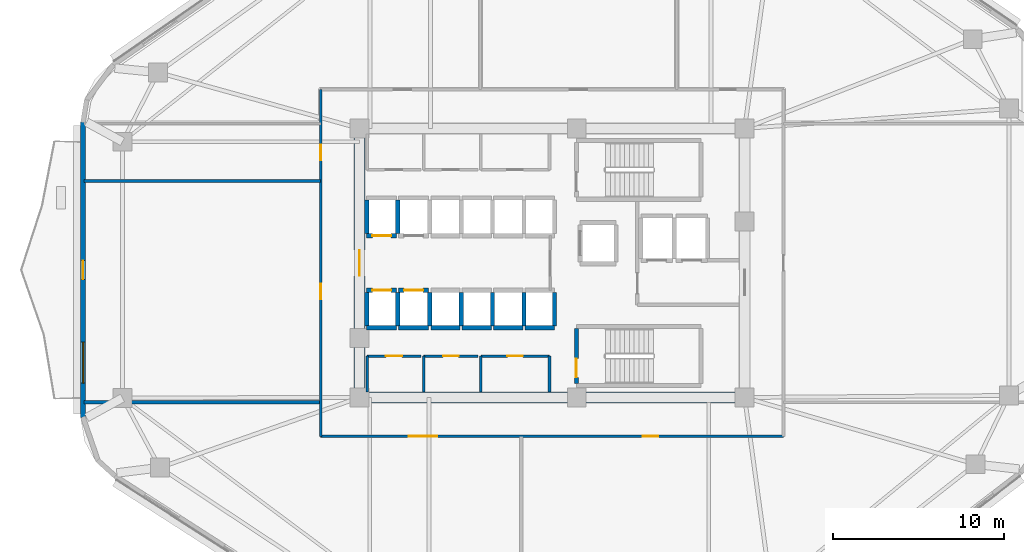
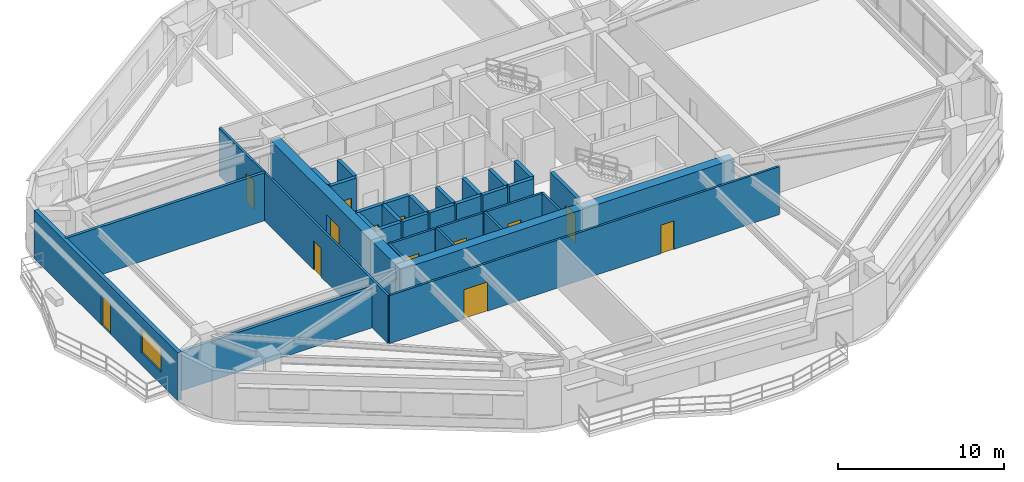
# One storey, part 8 of 14: 33 walls, 13 doors, 1 window, 14 openings.
"""IFC4 building model written with IfcOpenShell, lengths in metres."""

from ifc_helpers import new_model, si_unit, direction, frame, frame_2d, origin, place, context, subcontext, project, spatial, rectangle, extrude, material, layer, layer_set, type_object, element, fill, save


model = new_model("IFC4")

# Units and contexts
model_context = context("Model", 3, precision=1e-05, world=origin(), true_north=direction((0.0, 1.0)))
body_context = subcontext(model_context, "Body", "Model", "MODEL_VIEW")
ifc_project = project(units=[si_unit("LENGTHUNIT", "METRE"), si_unit("AREAUNIT", "SQUARE_METRE"), si_unit("VOLUMEUNIT", "CUBIC_METRE"), si_unit("PLANEANGLEUNIT", "RADIAN"), si_unit("MASSUNIT", "GRAM", prefix="KILO")], contexts=[model_context])

# Site, building, storey
site_placement = place(None, origin())
site = spatial("IfcSite", under=ifc_project, at=site_placement, CompositionType="ELEMENT")
building_placement = place(site_placement, origin())
building = spatial("IfcBuilding", under=site, at=building_placement, Name="Zulverin Broadcast Headquarters", CompositionType="ELEMENT")
storey_placement = place(building_placement, frame((0.0, 0.0, 85.800048828125)))
storey = spatial("IfcBuildingStorey", under=building, at=storey_placement, Name="L21", CompositionType="ELEMENT", Elevation=85.800048828125)

# Walls
ifc_material_1 = material(Name="Acoustic drywall steel stud", Category="steel")
ifc_layer_1 = layer(ifc_material_1, 0.199951171875, Name="Acoustic drywall steel stud", Category="steel")
ifc_layer_set_1 = layer_set([ifc_layer_1], Name="Acoustic drywall steel stud")
wall_type_1 = type_object("IfcWallType", Name="WL-ACOU-200", PredefinedType="PARTITIONING", material=ifc_layer_set_1)
wall_1_placement = place(storey_placement, frame((9.60498046875, 30.0, 0.0), z_axis=(0.0, 0.0, 1.0), x_axis=(1.0, 0.0, 0.0)))
element("IfcWall", 1, at=wall_1_placement, inside=storey, type_object=wall_type_1, Name="L21 Room Partition Wall RP-09", PredefinedType="PARTITIONING", context=body_context, shape_type="SweptSolid", body=[
    extrude(rectangle(XDim=13.844970703125, YDim=0.199951171875, at=frame_2d((6.92236328125, 0.0))), origin(), (0.0, 0.0, 1.0), 3.52490234375),
])
ifc_material_2 = material(Name="Double-stud acoustic drywall", Category="gypsum")
ifc_layer_2 = layer(ifc_material_2, 0.219970703125, Name="Double-stud acoustic drywall", Category="gypsum")
ifc_layer_set_2 = layer_set([ifc_layer_2], Name="Double-stud acoustic drywall")
wall_type_2 = type_object("IfcWallType", Name="WL-ACOU-220", PredefinedType="PARTITIONING", material=ifc_layer_set_2)
wall_2_placement = place(storey_placement, frame((9.60498046875, 17.050048828125, 0.0), z_axis=(0.0, 0.0, 1.0), x_axis=(1.0, 0.0, 0.0)))
element("IfcWall", 2, at=wall_2_placement, inside=storey, type_object=wall_type_2, Name="L21 Room Partition Wall RP-07", PredefinedType="PARTITIONING", context=body_context, shape_type="SweptSolid", body=[
    extrude(rectangle(XDim=13.844970703125, YDim=0.219970703125, at=frame_2d((6.92236328125, 0.0))), origin(), (0.0, 0.0, 1.0), 2.90771484375),
])
ifc_material_3 = material(Name="Concrete C60/75", Category="concrete")
ifc_layer_3 = layer(ifc_material_3, 0.64990234375, Name="Concrete C60/75", Category="concrete")
ifc_layer_set_3 = layer_set([ifc_layer_3], Name="Concrete C60/75")
wall_type_3 = type_object("IfcWallType", Name="WL-CORE-650", PredefinedType="SHEAR", material=ifc_layer_set_3)
wall_3_placement = place(storey_placement, frame((25.39990234375, 17.324951171875, 0.0), z_axis=(0.0, 0.0, 1.0), x_axis=(1.0, 0.0, 0.0)))
element("IfcWall", 3, at=wall_3_placement, inside=storey, type_object=wall_type_3, Name="L21 Core South Shear Wall", PredefinedType="SHEAR", context=body_context, shape_type="SweptSolid", body=[
    extrude(rectangle(XDim=23.2001953125, YDim=0.64990234375, at=frame_2d((11.60009765625, 0.0))), origin(), (0.0, 0.0, 1.0), 3.52490234375),
])

# Wall, opening, door
wall_4_placement = place(storey_placement, frame((25.72509765625, 17.64990234375, 0.0), z_axis=(0.0, 0.0, 1.0), x_axis=(0.0, 1.0, 0.0)))
wall_4 = element("IfcWall", 4, at=wall_4_placement, inside=storey, type_object=wall_type_3, Name="L21 Core West Shear Wall", PredefinedType="SHEAR", context=body_context, shape_type="SweptSolid", body=[
    extrude(rectangle(XDim=15.10009765625, YDim=0.64990234375, at=frame_2d((7.550048828125, 0.0))), origin(), (0.0, 0.0, 1.0), 3.52490234375),
])
opening_1_placement = place(wall_4_placement, frame((6.800048828125, 0.0, 0.0)))
opening_1 = element("IfcOpeningElement", 5, at=opening_1_placement, cuts=wall_4, Name="Opening D-L21-CW1", PredefinedType="OPENING", context=body_context, shape_type="SweptSolid", body=[
    extrude(rectangle(XDim=1.5, YDim=2.14990234375, at=frame_2d((0.75, 1.074951171875))), frame((0.0, 0.3349609375, 0.0), z_axis=(0.0, -1.0, 0.0), x_axis=(1.0, 0.0, 0.0)), (0.0, 0.0, 1.0), 0.669921875),
])
ifc_material_4 = material(Name="Fire-rated glazed steel frame", Category="steel")
door_type_1 = type_object("IfcDoorType", Name="DR-COR-1500", OperationType="DOUBLE_DOOR_SINGLE_SWING", PredefinedType="DOOR", material=ifc_material_4)
door_1_placement = place(opening_1_placement, origin())
door_1 = element("IfcDoor", 6, at=door_1_placement, inside=storey, type_object=door_type_1, Name="L21 Central Lift Lobby West Portal Door", OperationType="DOUBLE_DOOR_SINGLE_SWING", OverallHeight=2.14990234375, OverallWidth=1.5, PredefinedType="DOOR", context=body_context, shape_type="SweptSolid", body=[
    extrude(rectangle(XDim=1.5, YDim=2.14990234375, at=frame_2d((0.75, 1.074951171875))), frame((0.0, 0.02490234375, 0.0), z_axis=(0.0, -1.0, 0.0), x_axis=(1.0, 0.0, 0.0)), (0.0, 0.0, 1.0), 0.050048828125),
])
fill(opening_1, door_1)

# Wall, openings, door, window
ifc_material_5 = material(Name="Insulated pale-metal clad concrete spandrel C40/50", Category="concrete")
ifc_layer_4 = layer(ifc_material_5, 0.280029296875, Name="Insulated pale-metal clad concrete spandrel C40/50", Category="concrete")
ifc_layer_set_4 = layer_set([ifc_layer_4], Name="Insulated pale-metal clad concrete spandrel C40/50")
wall_type_4 = type_object("IfcWallType", Name="WL-EXT-280", PredefinedType="STANDARD", material=ifc_layer_set_4)
wall_5_placement = place(storey_placement, frame((9.5400390625, 33.4443359375, 0.0), z_axis=(0.0, 0.0, 1.0), x_axis=(0.0, -1.0, 0.0)))
wall_5 = element("IfcWall", 7, at=wall_5_placement, inside=storey, type_object=wall_type_4, Name="L21 Pale-Metal Clad Spandrel Wall 7", PredefinedType="STANDARD", context=body_context, shape_type="SweptSolid", body=[
    extrude(rectangle(XDim=17.30078125, YDim=0.280029296875, at=frame_2d((8.650390625, 0.0))), origin(), (0.0, 0.0, 1.0), 3.52490234375),
])
opening_2_placement = place(wall_5_placement, frame((8.100341796875, 0.0, 0.0)))
opening_2 = element("IfcOpeningElement", 8, at=opening_2_placement, cuts=wall_5, Name="Opening D-L21-TR7", PredefinedType="OPENING", context=body_context, shape_type="SweptSolid", body=[
    extrude(rectangle(XDim=1.10009765625, YDim=2.199951171875, at=frame_2d((0.550048828125, 1.10009765625))), frame((0.0, 0.14990234375, 0.0), z_axis=(0.0, -1.0, 0.0), x_axis=(1.0, 0.0, 0.0)), (0.0, 0.0, 1.0), 0.300048828125),
])
opening_3_placement = place(wall_5_placement, frame((12.884033203125, 0.0, 0.89990234375)))
opening_3 = element("IfcOpeningElement", 9, at=opening_3_placement, cuts=wall_5, Name="Opening W-L21-E71", PredefinedType="OPENING", context=body_context, shape_type="SweptSolid", body=[
    extrude(rectangle(XDim=2.39990234375, YDim=1.75, at=frame_2d((1.199951171875, 0.875))), frame((0.0, 0.14990234375, 0.0), z_axis=(0.0, -1.0, 0.0), x_axis=(1.0, 0.0, 0.0)), (0.0, 0.0, 1.0), 0.300048828125),
])
ifc_material_6 = material(Name="Thermally broken aluminium glazed", Category="aluminium")
door_type_2 = type_object("IfcDoorType", Name="DR-TERR-1100", OperationType="SINGLE_SWING_RIGHT", PredefinedType="DOOR", material=ifc_material_6)
door_2_placement = place(opening_2_placement, origin())
door_2 = element("IfcDoor", 10, at=door_2_placement, inside=storey, type_object=door_type_2, Name="L21 Planted Terrace Glazed Access Door 7", OperationType="SINGLE_SWING_RIGHT", OverallHeight=2.199951171875, OverallWidth=1.10009765625, PredefinedType="DOOR", context=body_context, shape_type="SweptSolid", body=[
    extrude(rectangle(XDim=1.10009765625, YDim=2.199951171875, at=frame_2d((0.550048828125, 1.10009765625))), frame((0.0, 0.02490234375, 0.0), z_axis=(0.0, -1.0, 0.0), x_axis=(1.0, 0.0, 0.0)), (0.0, 0.0, 1.0), 0.050048828125),
])
fill(opening_2, door_2)
ifc_material_7 = material(Name="Pale anodized aluminium frame with solar-control low-E double glazing", Category="aluminium")
window_type = type_object("IfcWindowType", Name="WIN-RIB-2400", PartitioningType="SINGLE_PANEL", PredefinedType="WINDOW", material=ifc_material_7)
window_placement = place(opening_3_placement, origin())
window = element("IfcWindow", 11, at=window_placement, inside=storey, type_object=window_type, Name="L21 Ribbon Glazing Window 7 1", OverallHeight=1.75, OverallWidth=2.39990234375, PartitioningType="SINGLE_PANEL", PredefinedType="WINDOW", context=body_context, shape_type="SweptSolid", body=[
    extrude(rectangle(XDim=2.39990234375, YDim=1.75, at=frame_2d((1.199951171875, 0.875))), frame((0.0, 0.030029296875, 0.0), z_axis=(0.0, -1.0, 0.0), x_axis=(1.0, 0.0, 0.0)), (0.0, 0.0, 1.0), 0.06005859375),
])
fill(opening_3, window)

# Wall, opening, door
ifc_material_8 = material(Name="Fire-rated gypsum stud partition", Category="gypsum")
ifc_layer_5 = layer(ifc_material_8, 0.14990234375, Name="Fire-rated gypsum stud partition", Category="gypsum")
ifc_layer_set_5 = layer_set([ifc_layer_5], Name="Fire-rated gypsum stud partition")
wall_type_5 = type_object("IfcWallType", Name="WL-PART-150", PredefinedType="PARTITIONING", material=ifc_layer_set_5)
wall_6_placement = place(storey_placement, frame((26.169921875, 19.75, 0.0), z_axis=(0.0, 0.0, 1.0), x_axis=(1.0, 0.0, 0.0)))
wall_6 = element("IfcWall", 12, at=wall_6_placement, inside=storey, type_object=wall_type_5, Name="L21 Core Female WC Front Wall", PredefinedType="PARTITIONING", context=body_context, shape_type="SweptSolid", body=[
    extrude(rectangle(XDim=3.150146484375, YDim=0.14990234375, at=frame_2d((1.5751953125, 0.0))), origin(), (0.0, 0.0, 1.0), 3.52490234375),
])
opening_4_placement = place(wall_6_placement, frame((1.10009765625, 0.0, 0.0)))
opening_4 = element("IfcOpeningElement", 13, at=opening_4_placement, cuts=wall_6, Name="Opening D-L21-SC1", PredefinedType="OPENING", context=body_context, shape_type="SweptSolid", body=[
    extrude(rectangle(XDim=0.949951171875, YDim=2.10009765625, at=frame_2d((0.47509765625, 1.050048828125))), frame((0.0, 0.0849609375, 0.0), z_axis=(0.0, -1.0, 0.0), x_axis=(1.0, 0.0, 0.0)), (0.0, 0.0, 1.0), 0.169921875),
])
ifc_material_9 = material(Name="Fire-rated moisture-resistant laminate leaf", Category="wood")
door_type_3 = type_object("IfcDoorType", Name="DR-WC-950", OperationType="SINGLE_SWING_LEFT", PredefinedType="DOOR", material=ifc_material_9)
door_3_placement = place(opening_4_placement, origin())
door_3 = element("IfcDoor", 14, at=door_3_placement, inside=storey, type_object=door_type_3, Name="L21 Female WC Door", OperationType="SINGLE_SWING_RIGHT", OverallHeight=2.10009765625, OverallWidth=0.949951171875, PredefinedType="DOOR", context=body_context, shape_type="SweptSolid", body=[
    extrude(rectangle(XDim=0.949951171875, YDim=2.10009765625, at=frame_2d((0.47509765625, 1.050048828125))), frame((0.0, 0.02490234375, 0.0), z_axis=(0.0, -1.0, 0.0), x_axis=(1.0, 0.0, 0.0)), (0.0, 0.0, 1.0), 0.050048828125),
])
fill(opening_4, door_3)

# Wall
wall_7_placement = place(storey_placement, frame((26.169921875, 17.64990234375, 0.0), z_axis=(0.0, 0.0, 1.0), x_axis=(0.0, 1.0, 0.0)))
element("IfcWall", 15, at=wall_7_placement, inside=storey, type_object=wall_type_5, Name="L21 Core Female WC West Wall", PredefinedType="PARTITIONING", context=body_context, shape_type="SweptSolid", body=[
    extrude(rectangle(XDim=2.10009765625, YDim=0.14990234375, at=frame_2d((1.050048828125, 0.0))), origin(), (0.0, 0.0, 1.0), 3.52490234375),
])

# Wall, opening, door
wall_8_placement = place(storey_placement, frame((29.47998046875, 19.75, 0.0), z_axis=(0.0, 0.0, 1.0), x_axis=(1.0, 0.0, 0.0)))
wall_8 = element("IfcWall", 16, at=wall_8_placement, inside=storey, type_object=wall_type_5, Name="L21 Core Cleaner Store Front Wall", PredefinedType="PARTITIONING", context=body_context, shape_type="SweptSolid", body=[
    extrude(rectangle(XDim=3.18994140625, YDim=0.14990234375, at=frame_2d((1.594970703125, 0.0))), origin(), (0.0, 0.0, 1.0), 3.52490234375),
])
opening_5_placement = place(wall_8_placement, frame((1.14501953125, 0.0, 0.0)))
opening_5 = element("IfcOpeningElement", 17, at=opening_5_placement, cuts=wall_8, Name="Opening D-L21-SC2", PredefinedType="OPENING", context=body_context, shape_type="SweptSolid", body=[
    extrude(rectangle(XDim=0.89990234375, YDim=2.10009765625, at=frame_2d((0.449951171875, 1.050048828125))), frame((0.0, 0.0849609375, 0.0), z_axis=(0.0, -1.0, 0.0), x_axis=(1.0, 0.0, 0.0)), (0.0, 0.0, 1.0), 0.169921875),
])
ifc_material_10 = material(Name="Powder-coated steel access leaf", Category="steel")
door_type_4 = type_object("IfcDoorType", Name="DR-RISER-900", OperationType="SINGLE_SWING_LEFT", PredefinedType="DOOR", material=ifc_material_10)
door_4_placement = place(opening_5_placement, origin())
door_4 = element("IfcDoor", 18, at=door_4_placement, inside=storey, type_object=door_type_4, Name="L21 Cleaner Store Door", OperationType="SINGLE_SWING_LEFT", OverallHeight=2.10009765625, OverallWidth=0.89990234375, PredefinedType="DOOR", context=body_context, shape_type="SweptSolid", body=[
    extrude(rectangle(XDim=0.89990234375, YDim=2.10009765625, at=frame_2d((0.449951171875, 1.050048828125))), frame((0.0, 0.02490234375, 0.0), z_axis=(0.0, -1.0, 0.0), x_axis=(1.0, 0.0, 0.0)), (0.0, 0.0, 1.0), 0.050048828125),
])
fill(opening_5, door_4)

# Wall
wall_9_placement = place(storey_placement, frame((29.47998046875, 17.64990234375, 0.0), z_axis=(0.0, 0.0, 1.0), x_axis=(0.0, 1.0, 0.0)))
element("IfcWall", 19, at=wall_9_placement, inside=storey, type_object=wall_type_5, Name="L21 Core Cleaner Store West Wall", PredefinedType="PARTITIONING", context=body_context, shape_type="SweptSolid", body=[
    extrude(rectangle(XDim=2.10009765625, YDim=0.14990234375, at=frame_2d((1.050048828125, 0.0))), origin(), (0.0, 0.0, 1.0), 3.52490234375),
])

# Wall, opening, door
wall_10_placement = place(storey_placement, frame((32.830078125, 19.75, 0.0), z_axis=(0.0, 0.0, 1.0), x_axis=(1.0, 0.0, 0.0)))
wall_10 = element("IfcWall", 20, at=wall_10_placement, inside=storey, type_object=wall_type_5, Name="L21 Core Broadcast Fibre Riser Front Wall", PredefinedType="PARTITIONING", context=body_context, shape_type="SweptSolid", body=[
    extrude(rectangle(XDim=4.02001953125, YDim=0.14990234375, at=frame_2d((2.010009765625, 0.0))), origin(), (0.0, 0.0, 1.0), 3.52490234375),
])
opening_6_placement = place(wall_10_placement, frame((1.56005859375, 0.0, 0.0)))
opening_6 = element("IfcOpeningElement", 21, at=opening_6_placement, cuts=wall_10, Name="Opening D-L21-SC3", PredefinedType="OPENING", context=body_context, shape_type="SweptSolid", body=[
    extrude(rectangle(XDim=0.89990234375, YDim=2.10009765625, at=frame_2d((0.449951171875, 1.050048828125))), frame((0.0, 0.0849609375, 0.0), z_axis=(0.0, -1.0, 0.0), x_axis=(1.0, 0.0, 0.0)), (0.0, 0.0, 1.0), 0.169921875),
])
door_5_placement = place(opening_6_placement, origin())
door_5 = element("IfcDoor", 22, at=door_5_placement, inside=storey, type_object=door_type_4, Name="L21 Broadcast Fibre Riser Door", OperationType="SINGLE_SWING_RIGHT", OverallHeight=2.10009765625, OverallWidth=0.89990234375, PredefinedType="DOOR", context=body_context, shape_type="SweptSolid", body=[
    extrude(rectangle(XDim=0.89990234375, YDim=2.10009765625, at=frame_2d((0.449951171875, 1.050048828125))), frame((0.0, 0.02490234375, 0.0), z_axis=(0.0, -1.0, 0.0), x_axis=(1.0, 0.0, 0.0)), (0.0, 0.0, 1.0), 0.050048828125),
])
fill(opening_6, door_5)

# Walls
for number, where, z_axis, x_axis, name in (
    (23, (32.830078125, 17.64990234375, 0.0), (0.0, 0.0, 1.0), (0.0, 1.0, 0.0), "L21 Core Broadcast Fibre Riser West Wall"),
    (24, (36.85009765625, 17.64990234375, 0.0), (0.0, 0.0, 1.0), (0.0, 1.0, 0.0), "L21 Core Broadcast Fibre Riser East Wall"),
):
    element("IfcWall", number, at=place(storey_placement, frame(where, z_axis=z_axis, x_axis=x_axis)), inside=storey, type_object=wall_type_5, Name=name, PredefinedType="PARTITIONING", context=body_context, shape_type="SweptSolid", body=[
        extrude(rectangle(XDim=2.10009765625, YDim=0.14990234375, at=frame_2d((1.050048828125, 0.0))), origin(), (0.0, 0.0, 1.0), 3.52490234375),
    ])

# Wall, openings, doors
wall_11_placement = place(storey_placement, frame((23.449951171875, 15.050048828125, 0.0), z_axis=(0.0, 0.0, 1.0), x_axis=(0.0, 1.0, 0.0)))
wall_11 = element("IfcWall", 25, at=wall_11_placement, inside=storey, type_object=wall_type_5, Name="L21 Gallery Partition Wall CG-05", PredefinedType="PARTITIONING", context=body_context, shape_type="SweptSolid", body=[
    extrude(rectangle(XDim=20.300048828125, YDim=0.14990234375, at=frame_2d((10.14990234375, 0.0))), origin(), (0.0, 0.0, 1.0), 3.52490234375),
])
opening_7_placement = place(wall_11_placement, frame((8.02490234375, 0.0, 0.0)))
opening_7 = element("IfcOpeningElement", 26, at=opening_7_placement, cuts=wall_11, Name="Opening D-L21-06", PredefinedType="OPENING", context=body_context, shape_type="SweptSolid", body=[
    extrude(rectangle(XDim=0.89990234375, YDim=2.10009765625, at=frame_2d((0.449951171875, 1.050048828125))), frame((0.0, 0.0849609375, 0.0), z_axis=(0.0, -1.0, 0.0), x_axis=(1.0, 0.0, 0.0)), (0.0, 0.0, 1.0), 0.169921875),
])
opening_8_placement = place(wall_11_placement, frame((16.175048828125, 0.0, 0.0)))
opening_8 = element("IfcOpeningElement", 27, at=opening_8_placement, cuts=wall_11, Name="Opening D-L21-07", PredefinedType="OPENING", context=body_context, shape_type="SweptSolid", body=[
    extrude(rectangle(XDim=0.89990234375, YDim=2.10009765625, at=frame_2d((0.449951171875, 1.050048828125))), frame((0.0, 0.0849609375, 0.0), z_axis=(0.0, -1.0, 0.0), x_axis=(1.0, 0.0, 0.0)), (0.0, 0.0, 1.0), 0.169921875),
])
ifc_material_11 = material(Name="Fire-rated hardwood veneer timber leaf", Category="wood")
door_type_5 = type_object("IfcDoorType", Name="DR-ROOM-900", OperationType="SINGLE_SWING_RIGHT", PredefinedType="DOOR", material=ifc_material_11)
door_6_placement = place(opening_7_placement, origin())
door_6 = element("IfcDoor", 28, at=door_6_placement, inside=storey, type_object=door_type_5, Name="L21 Evening Bistro Door", OperationType="SINGLE_SWING_LEFT", OverallHeight=2.10009765625, OverallWidth=0.89990234375, PredefinedType="DOOR", context=body_context, shape_type="SweptSolid", body=[
    extrude(rectangle(XDim=0.89990234375, YDim=2.10009765625, at=frame_2d((0.449951171875, 1.050048828125))), frame((0.0, 0.02490234375, 0.0), z_axis=(0.0, -1.0, 0.0), x_axis=(1.0, 0.0, 0.0)), (0.0, 0.0, 1.0), 0.050048828125),
])
fill(opening_7, door_6)
door_7_placement = place(opening_8_placement, origin())
door_7 = element("IfcDoor", 29, at=door_7_placement, inside=storey, type_object=door_type_5, Name="L21 Catering Pantry Door", OperationType="SINGLE_SWING_RIGHT", OverallHeight=2.10009765625, OverallWidth=0.89990234375, PredefinedType="DOOR", context=body_context, shape_type="SweptSolid", body=[
    extrude(rectangle(XDim=0.89990234375, YDim=2.10009765625, at=frame_2d((0.449951171875, 1.050048828125))), frame((0.0, 0.02490234375, 0.0), z_axis=(0.0, -1.0, 0.0), x_axis=(1.0, 0.0, 0.0)), (0.0, 0.0, 1.0), 0.050048828125),
])
fill(opening_8, door_7)

wall_12_placement = place(storey_placement, frame((23.449951171875, 15.050048828125, 0.0), z_axis=(0.0, 0.0, 1.0), x_axis=(1.0, 0.0, 0.0)))
wall_12 = element("IfcWall", 30, at=wall_12_placement, inside=storey, type_object=wall_type_5, Name="L21 Gallery Partition Wall CG-06", PredefinedType="PARTITIONING", context=body_context, shape_type="SweptSolid", body=[
    extrude(rectangle(XDim=27.10009765625, YDim=0.14990234375, at=frame_2d((13.550048828125, 0.0))), origin(), (0.0, 0.0, 1.0), 3.52490234375),
])
opening_9_placement = place(wall_12_placement, frame((5.169921875, 0.0, 0.0)))
opening_9 = element("IfcOpeningElement", 31, at=opening_9_placement, cuts=wall_12, Name="Opening D-L21-04", PredefinedType="OPENING", context=body_context, shape_type="SweptSolid", body=[
    extrude(rectangle(XDim=1.64990234375, YDim=2.14990234375, at=frame_2d((0.824951171875, 1.074951171875))), frame((0.0, 0.0849609375, 0.0), z_axis=(0.0, -1.0, 0.0), x_axis=(1.0, 0.0, 0.0)), (0.0, 0.0, 1.0), 0.169921875),
])
opening_10_placement = place(wall_12_placement, frame((18.85498046875, 0.0, 0.0)))
opening_10 = element("IfcOpeningElement", 32, at=opening_10_placement, cuts=wall_12, Name="Opening D-L21-05", PredefinedType="OPENING", context=body_context, shape_type="SweptSolid", body=[
    extrude(rectangle(XDim=0.89990234375, YDim=2.10009765625, at=frame_2d((0.449951171875, 1.050048828125))), frame((0.0, 0.0849609375, 0.0), z_axis=(0.0, -1.0, 0.0), x_axis=(1.0, 0.0, 0.0)), (0.0, 0.0, 1.0), 0.169921875),
])
ifc_material_12 = material(Name="Fire-rated acoustic double leaf", Category="steel")
door_type_6 = type_object("IfcDoorType", Name="DR-AUD-1650", OperationType="DOUBLE_DOOR_SINGLE_SWING", PredefinedType="DOOR", material=ifc_material_12)
door_8_placement = place(opening_9_placement, origin())
door_8 = element("IfcDoor", 33, at=door_8_placement, inside=storey, type_object=door_type_6, Name="L21 Staff Dining Hall Door", OperationType="DOUBLE_DOOR_SINGLE_SWING", OverallHeight=2.14990234375, OverallWidth=1.64990234375, PredefinedType="DOOR", context=body_context, shape_type="SweptSolid", body=[
    extrude(rectangle(XDim=1.64990234375, YDim=2.14990234375, at=frame_2d((0.824951171875, 1.074951171875))), frame((0.0, 0.02490234375, 0.0), z_axis=(0.0, -1.0, 0.0), x_axis=(1.0, 0.0, 0.0)), (0.0, 0.0, 1.0), 0.050048828125),
])
fill(opening_9, door_8)
door_9_placement = place(opening_10_placement, origin())
door_9 = element("IfcDoor", 34, at=door_9_placement, inside=storey, type_object=door_type_5, Name="L21 Express Cafe Door", OperationType="SINGLE_SWING_RIGHT", OverallHeight=2.10009765625, OverallWidth=0.89990234375, PredefinedType="DOOR", context=body_context, shape_type="SweptSolid", body=[
    extrude(rectangle(XDim=0.89990234375, YDim=2.10009765625, at=frame_2d((0.449951171875, 1.050048828125))), frame((0.0, 0.02490234375, 0.0), z_axis=(0.0, -1.0, 0.0), x_axis=(1.0, 0.0, 0.0)), (0.0, 0.0, 1.0), 0.050048828125),
])
fill(opening_10, door_9)

# Wall, opening, door
ifc_material_13 = material(Name="Concrete C50/60", Category="concrete")
ifc_layer_6 = layer(ifc_material_13, 0.25, Name="Concrete C50/60", Category="concrete")
ifc_layer_set_6 = layer_set([ifc_layer_6], Name="Concrete C50/60")
wall_type_6 = type_object("IfcWallType", Name="WL-SHAFT-250", PredefinedType="SHEAR", material=ifc_layer_set_6)
wall_13_placement = place(storey_placement, frame((38.425048828125, 18.14990234375, 0.0), z_axis=(0.0, 0.0, 1.0), x_axis=(0.0, 1.0, 0.0)))
wall_13 = element("IfcWall", 35, at=wall_13_placement, inside=storey, type_object=wall_type_6, Name="L21 ST-2 Enclosure Wall W", PredefinedType="SHEAR", context=body_context, shape_type="SweptSolid", body=[
    extrude(rectangle(XDim=3.2001953125, YDim=0.25, at=frame_2d((1.60009765625, 0.0))), origin(), (0.0, 0.0, 1.0), 3.52490234375),
])
opening_11_placement = place(wall_13_placement, frame((0.35009765625, 0.0, 0.0)))
opening_11 = element("IfcOpeningElement", 36, at=opening_11_placement, cuts=wall_13, Name="Opening D-L21-ST-2", PredefinedType="OPENING", context=body_context, shape_type="SweptSolid", body=[
    extrude(rectangle(XDim=1.10009765625, YDim=2.14990234375, at=frame_2d((0.550048828125, 1.074951171875))), frame((0.0, 0.135009765625, 0.0), z_axis=(0.0, -1.0, 0.0), x_axis=(1.0, 0.0, 0.0)), (0.0, 0.0, 1.0), 0.27001953125),
])
ifc_material_14 = material(Name="Fire-rated steel leaf and frame", Category="steel")
door_type_7 = type_object("IfcDoorType", Name="DR-STAIR-1100", OperationType="SINGLE_SWING_LEFT", PredefinedType="DOOR", material=ifc_material_14)
door_10_placement = place(opening_11_placement, origin())
door_10 = element("IfcDoor", 37, at=door_10_placement, inside=storey, type_object=door_type_7, Name="L21 Exit Stair ST-2 Fire Door", OperationType="SINGLE_SWING_RIGHT", OverallHeight=2.14990234375, OverallWidth=1.10009765625, PredefinedType="DOOR", context=body_context, shape_type="SweptSolid", body=[
    extrude(rectangle(XDim=1.10009765625, YDim=2.14990234375, at=frame_2d((0.550048828125, 1.074951171875))), frame((0.0, 0.02490234375, 0.0), z_axis=(0.0, -1.0, 0.0), x_axis=(1.0, 0.0, 0.0)), (0.0, 0.0, 1.0), 0.050048828125),
])
fill(opening_11, door_10)

wall_14_placement = place(storey_placement, frame((26.14990234375, 26.800048828125, 0.0), z_axis=(0.0, 0.0, 1.0), x_axis=(1.0, 0.0, 0.0)))
wall_14 = element("IfcWall", 38, at=wall_14_placement, inside=storey, type_object=wall_type_6, Name="L21 Lift PL-L1 Shaft Wall S", PredefinedType="SHEAR", context=body_context, shape_type="SweptSolid", body=[
    extrude(rectangle(XDim=1.75, YDim=0.25, at=frame_2d((0.875, 0.0))), origin(), (0.0, 0.0, 1.0), 3.52490234375),
])
opening_12_placement = place(wall_14_placement, frame((0.324951171875, 0.0, 0.0)))
opening_12 = element("IfcOpeningElement", 39, at=opening_12_placement, cuts=wall_14, Name="Opening LD-PL-L1-L21", PredefinedType="OPENING", context=body_context, shape_type="SweptSolid", body=[
    extrude(rectangle(XDim=1.10009765625, YDim=2.14990234375, at=frame_2d((0.550048828125, 1.074951171875))), frame((0.0, 0.135009765625, 0.0), z_axis=(0.0, -1.0, 0.0), x_axis=(1.0, 0.0, 0.0)), (0.0, 0.0, 1.0), 0.27001953125),
])
ifc_material_15 = material(Name="Brushed stainless steel landing", Category="steel")
door_type_8 = type_object("IfcDoorType", Name="LD-PASS-1100", OperationType="DOUBLE_DOOR_SLIDING", PredefinedType="DOOR", material=ifc_material_15)
door_11_placement = place(opening_12_placement, origin())
door_11 = element("IfcDoor", 40, at=door_11_placement, inside=storey, type_object=door_type_8, Name="L21 Lift PL-L1 Sliding Landing Door", OperationType="DOUBLE_DOOR_SLIDING", OverallHeight=2.14990234375, OverallWidth=1.10009765625, PredefinedType="DOOR", context=body_context, shape_type="SweptSolid", body=[
    extrude(rectangle(XDim=1.10009765625, YDim=2.14990234375, at=frame_2d((0.550048828125, 1.074951171875))), frame((0.0, 0.02490234375, 0.0), z_axis=(0.0, -1.0, 0.0), x_axis=(1.0, 0.0, 0.0)), (0.0, 0.0, 1.0), 0.050048828125),
])
fill(opening_12, door_11)

# Walls
for number, where, z_axis, x_axis, name in (
    (41, (26.14990234375, 26.919921875, 0.0), (0.0, 0.0, 1.0), (0.0, 1.0, 0.0), "L21 Lift PL-L1 Shaft Wall W"),
    (42, (27.9599609375, 26.919921875, 0.0), (0.0, 0.0, 1.0), (0.0, 1.0, 0.0), "L21 Lift PL-L1 Shaft Wall E"),
):
    element("IfcWall", number, at=place(storey_placement, frame(where, z_axis=z_axis, x_axis=x_axis)), inside=storey, type_object=wall_type_6, Name=name, PredefinedType="SHEAR", context=body_context, shape_type="SweptSolid", body=[
        extrude(rectangle(XDim=1.9599609375, YDim=0.25, at=frame_2d((0.97998046875, 0.0))), origin(), (0.0, 0.0, 1.0), 3.52490234375),
    ])
wall_15_placement = place(storey_placement, frame((26.14990234375, 21.39990234375, 0.0), z_axis=(0.0, 0.0, 1.0), x_axis=(1.0, 0.0, 0.0)))
element("IfcWall", 43, at=wall_15_placement, inside=storey, type_object=wall_type_6, Name="L21 Lift PL-L3 Shaft Wall S", PredefinedType="SHEAR", context=body_context, shape_type="SweptSolid", body=[
    extrude(rectangle(XDim=1.75, YDim=0.25, at=frame_2d((0.875, 0.0))), origin(), (0.0, 0.0, 1.0), 3.52490234375),
])

# Wall, opening, door
wall_16_placement = place(storey_placement, frame((26.14990234375, 23.60009765625, 0.0), z_axis=(0.0, 0.0, 1.0), x_axis=(1.0, 0.0, 0.0)))
wall_16 = element("IfcWall", 44, at=wall_16_placement, inside=storey, type_object=wall_type_6, Name="L21 Lift PL-L3 Shaft Wall N", PredefinedType="SHEAR", context=body_context, shape_type="SweptSolid", body=[
    extrude(rectangle(XDim=1.75, YDim=0.25, at=frame_2d((0.875, 0.0))), origin(), (0.0, 0.0, 1.0), 3.52490234375),
])
opening_13_placement = place(wall_16_placement, frame((0.324951171875, 0.0, 0.0)))
opening_13 = element("IfcOpeningElement", 45, at=opening_13_placement, cuts=wall_16, Name="Opening LD-PL-L3-L21", PredefinedType="OPENING", context=body_context, shape_type="SweptSolid", body=[
    extrude(rectangle(XDim=1.10009765625, YDim=2.14990234375, at=frame_2d((0.550048828125, 1.074951171875))), frame((0.0, 0.135009765625, 0.0), z_axis=(0.0, -1.0, 0.0), x_axis=(1.0, 0.0, 0.0)), (0.0, 0.0, 1.0), 0.27001953125),
])
door_12_placement = place(opening_13_placement, origin())
door_12 = element("IfcDoor", 46, at=door_12_placement, inside=storey, type_object=door_type_8, Name="L21 Lift PL-L3 Sliding Landing Door", OperationType="DOUBLE_DOOR_SLIDING", OverallHeight=2.14990234375, OverallWidth=1.10009765625, PredefinedType="DOOR", context=body_context, shape_type="SweptSolid", body=[
    extrude(rectangle(XDim=1.10009765625, YDim=2.14990234375, at=frame_2d((0.550048828125, 1.074951171875))), frame((0.0, 0.02490234375, 0.0), z_axis=(0.0, -1.0, 0.0), x_axis=(1.0, 0.0, 0.0)), (0.0, 0.0, 1.0), 0.050048828125),
])
fill(opening_13, door_12)

# Walls
for number, where, z_axis, x_axis, name in (
    (47, (26.14990234375, 21.52001953125, 0.0), (0.0, 0.0, 1.0), (0.0, 1.0, 0.0), "L21 Lift PL-L3 Shaft Wall W"),
    (48, (27.9599609375, 21.52001953125, 0.0), (0.0, 0.0, 1.0), (0.0, 1.0, 0.0), "L21 Lift PL-L3 Shaft Wall E"),
):
    element("IfcWall", number, at=place(storey_placement, frame(where, z_axis=z_axis, x_axis=x_axis)), inside=storey, type_object=wall_type_6, Name=name, PredefinedType="SHEAR", context=body_context, shape_type="SweptSolid", body=[
        extrude(rectangle(XDim=1.9599609375, YDim=0.25, at=frame_2d((0.97998046875, 0.0))), origin(), (0.0, 0.0, 1.0), 3.52490234375),
    ])
wall_17_placement = place(storey_placement, frame((28.02001953125, 21.39990234375, 0.0), z_axis=(0.0, 0.0, 1.0), x_axis=(1.0, 0.0, 0.0)))
element("IfcWall", 49, at=wall_17_placement, inside=storey, type_object=wall_type_6, Name="L21 Lift PL-L4 Shaft Wall S", PredefinedType="SHEAR", context=body_context, shape_type="SweptSolid", body=[
    extrude(rectangle(XDim=1.75, YDim=0.25, at=frame_2d((0.875, 0.0))), origin(), (0.0, 0.0, 1.0), 3.52490234375),
])

# Wall, opening, door
wall_18_placement = place(storey_placement, frame((28.02001953125, 23.60009765625, 0.0), z_axis=(0.0, 0.0, 1.0), x_axis=(1.0, 0.0, 0.0)))
wall_18 = element("IfcWall", 50, at=wall_18_placement, inside=storey, type_object=wall_type_6, Name="L21 Lift PL-L4 Shaft Wall N", PredefinedType="SHEAR", context=body_context, shape_type="SweptSolid", body=[
    extrude(rectangle(XDim=1.75, YDim=0.25, at=frame_2d((0.875, 0.0))), origin(), (0.0, 0.0, 1.0), 3.52490234375),
])
opening_14_placement = place(wall_18_placement, frame((0.324951171875, 0.0, 0.0)))
opening_14 = element("IfcOpeningElement", 51, at=opening_14_placement, cuts=wall_18, Name="Opening LD-PL-L4-L21", PredefinedType="OPENING", context=body_context, shape_type="SweptSolid", body=[
    extrude(rectangle(XDim=1.10009765625, YDim=2.14990234375, at=frame_2d((0.550048828125, 1.074951171875))), frame((0.0, 0.135009765625, 0.0), z_axis=(0.0, -1.0, 0.0), x_axis=(1.0, 0.0, 0.0)), (0.0, 0.0, 1.0), 0.27001953125),
])
door_13_placement = place(opening_14_placement, origin())
door_13 = element("IfcDoor", 52, at=door_13_placement, inside=storey, type_object=door_type_8, Name="L21 Lift PL-L4 Sliding Landing Door", OperationType="DOUBLE_DOOR_SLIDING", OverallHeight=2.14990234375, OverallWidth=1.10009765625, PredefinedType="DOOR", context=body_context, shape_type="SweptSolid", body=[
    extrude(rectangle(XDim=1.10009765625, YDim=2.14990234375, at=frame_2d((0.550048828125, 1.074951171875))), frame((0.0, 0.02490234375, 0.0), z_axis=(0.0, -1.0, 0.0), x_axis=(1.0, 0.0, 0.0)), (0.0, 0.0, 1.0), 0.050048828125),
])
fill(opening_14, door_13)

# Walls
wall_19_placement = place(storey_placement, frame((29.8349609375, 21.52001953125, 0.0), z_axis=(0.0, 0.0, 1.0), x_axis=(0.0, 1.0, 0.0)))
element("IfcWall", 53, at=wall_19_placement, inside=storey, type_object=wall_type_6, Name="L21 Lift PL-L4 Shaft Wall E", PredefinedType="SHEAR", context=body_context, shape_type="SweptSolid", body=[
    extrude(rectangle(XDim=1.9599609375, YDim=0.25, at=frame_2d((0.97998046875, 0.0))), origin(), (0.0, 0.0, 1.0), 3.52490234375),
])
wall_20_placement = place(storey_placement, frame((29.89990234375, 21.39990234375, 0.0), z_axis=(0.0, 0.0, 1.0), x_axis=(1.0, 0.0, 0.0)))
element("IfcWall", 54, at=wall_20_placement, inside=storey, type_object=wall_type_6, Name="L21 Lift PL-M1 Shaft Wall S", PredefinedType="SHEAR", context=body_context, shape_type="SweptSolid", body=[
    extrude(rectangle(XDim=1.72021484375, YDim=0.25, at=frame_2d((0.860107421875, 0.0))), origin(), (0.0, 0.0, 1.0), 3.52490234375),
])
wall_21_placement = place(storey_placement, frame((31.679931640625, 21.52001953125, 0.0), z_axis=(0.0, 0.0, 1.0), x_axis=(0.0, 1.0, 0.0)))
element("IfcWall", 55, at=wall_21_placement, inside=storey, type_object=wall_type_6, Name="L21 Lift PL-M1 Shaft Wall E", PredefinedType="SHEAR", context=body_context, shape_type="SweptSolid", body=[
    extrude(rectangle(XDim=1.9599609375, YDim=0.25, at=frame_2d((0.97998046875, 0.0))), origin(), (0.0, 0.0, 1.0), 3.52490234375),
])
wall_22_placement = place(storey_placement, frame((31.739990234375, 21.39990234375, 0.0), z_axis=(0.0, 0.0, 1.0), x_axis=(1.0, 0.0, 0.0)))
element("IfcWall", 56, at=wall_22_placement, inside=storey, type_object=wall_type_6, Name="L21 Lift PL-M2 Shaft Wall S", PredefinedType="SHEAR", context=body_context, shape_type="SweptSolid", body=[
    extrude(rectangle(XDim=1.719970703125, YDim=0.25, at=frame_2d((0.85986328125, 0.0))), origin(), (0.0, 0.0, 1.0), 3.52490234375),
])
wall_23_placement = place(storey_placement, frame((33.52001953125, 21.52001953125, 0.0), z_axis=(0.0, 0.0, 1.0), x_axis=(0.0, 1.0, 0.0)))
element("IfcWall", 57, at=wall_23_placement, inside=storey, type_object=wall_type_6, Name="L21 Lift PL-M2 Shaft Wall E", PredefinedType="SHEAR", context=body_context, shape_type="SweptSolid", body=[
    extrude(rectangle(XDim=1.9599609375, YDim=0.25, at=frame_2d((0.97998046875, 0.0))), origin(), (0.0, 0.0, 1.0), 3.52490234375),
])
wall_24_placement = place(storey_placement, frame((33.580078125, 21.39990234375, 0.0), z_axis=(0.0, 0.0, 1.0), x_axis=(1.0, 0.0, 0.0)))
element("IfcWall", 58, at=wall_24_placement, inside=storey, type_object=wall_type_6, Name="L21 Lift PL-M3 Shaft Wall S", PredefinedType="SHEAR", context=body_context, shape_type="SweptSolid", body=[
    extrude(rectangle(XDim=1.719970703125, YDim=0.25, at=frame_2d((0.85986328125, 0.0))), origin(), (0.0, 0.0, 1.0), 3.52490234375),
])
wall_25_placement = place(storey_placement, frame((35.360107421875, 21.52001953125, 0.0), z_axis=(0.0, 0.0, 1.0), x_axis=(0.0, 1.0, 0.0)))
element("IfcWall", 59, at=wall_25_placement, inside=storey, type_object=wall_type_6, Name="L21 Lift PL-M3 Shaft Wall E", PredefinedType="SHEAR", context=body_context, shape_type="SweptSolid", body=[
    extrude(rectangle(XDim=1.9599609375, YDim=0.25, at=frame_2d((0.97998046875, 0.0))), origin(), (0.0, 0.0, 1.0), 3.52490234375),
])
wall_26_placement = place(storey_placement, frame((35.419921875, 21.39990234375, 0.0), z_axis=(0.0, 0.0, 1.0), x_axis=(1.0, 0.0, 0.0)))
element("IfcWall", 60, at=wall_26_placement, inside=storey, type_object=wall_type_6, Name="L21 Lift PL-M4 Shaft Wall S", PredefinedType="SHEAR", context=body_context, shape_type="SweptSolid", body=[
    extrude(rectangle(XDim=1.719970703125, YDim=0.25, at=frame_2d((0.85986328125, 0.0))), origin(), (0.0, 0.0, 1.0), 3.52490234375),
])
wall_27_placement = place(storey_placement, frame((37.139892578125, 21.52001953125, 0.0), z_axis=(0.0, 0.0, 1.0), x_axis=(0.0, 1.0, 0.0)))
element("IfcWall", 61, at=wall_27_placement, inside=storey, type_object=wall_type_6, Name="L21 Lift PL-M4 Shaft Wall E", PredefinedType="SHEAR", context=body_context, shape_type="SweptSolid", body=[
    extrude(rectangle(XDim=1.9599609375, YDim=0.25, at=frame_2d((0.97998046875, 0.0))), origin(), (0.0, 0.0, 1.0), 3.52490234375),
])

save(model, "model.ifc")
